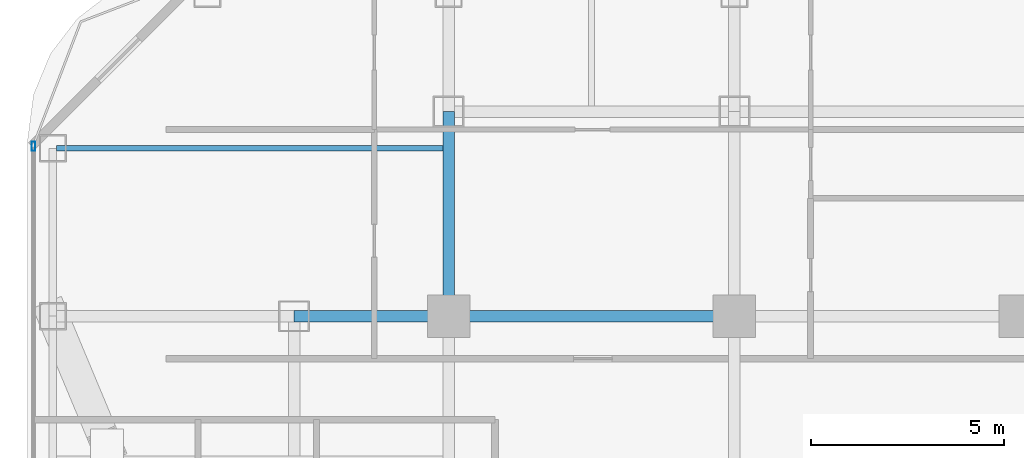
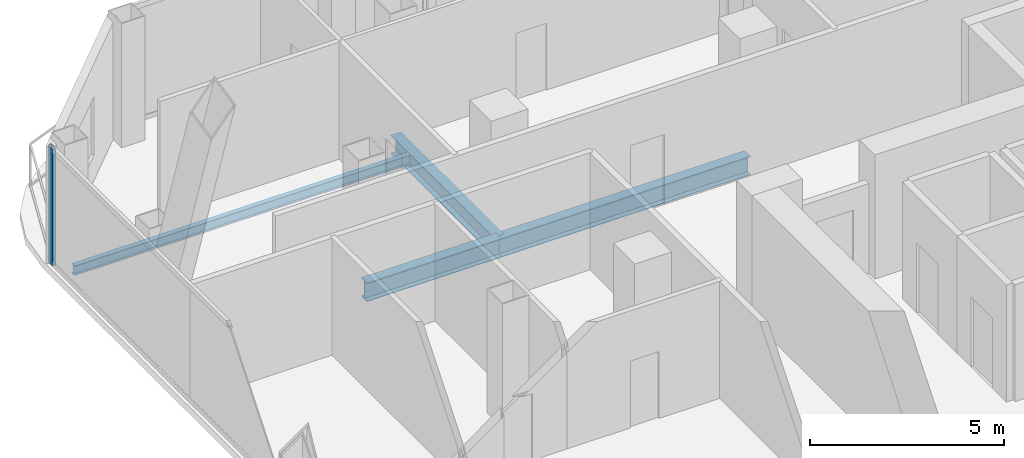
# One storey, part 16 of 34: 4 beams, 1 member, 1 element without a shape of its own.
"""IFC4 building model written with IfcOpenShell, lengths in metres."""

from ifc_helpers import new_model, si_unit, direction, frame, origin, origin_2d, place, context, subcontext, project, spatial, hollow_rectangle, i_section, extrude, material, layer, layer_set, material_profile, profile_set, type_object, element, aggregate, save


model = new_model("IFC4")

# Units and contexts
model_context = context("Model", 3, precision=1e-05, world=origin(), true_north=direction((0.0, 1.0)))
body_context = subcontext(model_context, "Body", "Model", "MODEL_VIEW")
ifc_project = project(units=[si_unit("LENGTHUNIT", "METRE"), si_unit("AREAUNIT", "SQUARE_METRE"), si_unit("VOLUMEUNIT", "CUBIC_METRE"), si_unit("PLANEANGLEUNIT", "RADIAN"), si_unit("MASSUNIT", "GRAM", prefix="KILO")], contexts=[model_context])

# Site, building, storey
site_placement = place(None, origin())
site = spatial("IfcSite", under=ifc_project, at=site_placement, CompositionType="ELEMENT")
building_placement = place(site_placement, origin())
building = spatial("IfcBuilding", under=site, at=building_placement, Name="Khorvyn Point Tower", CompositionType="ELEMENT")
storey_placement = place(building_placement, frame((0.0, 0.0, 175.800048828125)))
storey = spatial("IfcBuildingStorey", under=building, at=storey_placement, Name="L43", CompositionType="ELEMENT", Elevation=175.800048828125)

# Curtain wall, member
ifc_material_1 = material(Name="Anodised aluminium 6063-T6 and laminated Low-E glass", Category="aluminium")
ifc_layer = layer(ifc_material_1, 0.18994140625)
ifc_layer_set = layer_set([ifc_layer], Name="Stick-Built Acoustic Curtain Wall CW-SYS-03")
curtain_wall_type = type_object("IfcCurtainWallType", Name="Stick-Built Acoustic Curtain Wall CW-SYS-03", PredefinedType="NOTDEFINED", material=ifc_layer_set)
curtain_wall_placement = place(storey_placement, origin())
curtain_wall = element("IfcCurtainWall", 1, at=curtain_wall_placement, inside=storey, type_object=curtain_wall_type, Name="Curtain Wall", PredefinedType="NOTDEFINED")
ifc_material_2 = material(Name="Anodised aluminium 6063-T6", Category="aluminium")
ifc_material_profile_1 = material_profile(ifc_material_2, hollow_rectangle(XDim=0.10009765625, YDim=0.239990234375, WallThickness=0.0048828125, at=origin_2d()))
ifc_profile_set_1 = profile_set([ifc_material_profile_1], Name="Anodised aluminium 6063-T6 ALU-MUL-100x240")
member_type = type_object("IfcMemberType", Name="Anodised Aluminium 6063-T6 Mullion ALU-MUL-100x240", PredefinedType="MULLION", material=ifc_profile_set_1)
member_placement = place(storey_placement, frame((-25.550048828125, 19.199951171875, 0.0), z_axis=(0.0, 0.0, 1.0), x_axis=(-1.0, 0.0, 0.0)))
member = element("IfcMember", 2, at=member_placement, type_object=member_type, Name="Transom", PredefinedType="MULLION", context=body_context, shape_type="SweptSolid", body=[
    extrude(hollow_rectangle(XDim=0.10009765625, YDim=0.239990234375, WallThickness=0.0048828125, at=origin_2d()), origin(), (0.0, 0.0, 1.0), 3.679931640625),
])
aggregate(curtain_wall, [member])

# Beams
ifc_material_3 = material(Name="Steel S355", Category="steel")
ifc_material_profile_2 = material_profile(ifc_material_3, i_section(OverallWidth=0.300048828125, OverallDepth=0.587890625, WebThickness=0.011962890625, FlangeThickness=0.02001953125, at=origin_2d()))
ifc_profile_set_2 = profile_set([ifc_material_profile_2], Name="Steel S355 H588x300x12x20")
beam_type_1 = type_object("IfcBeamType", Name="Steel S355 Beam H588x300x12x20", PredefinedType="BEAM", material=ifc_profile_set_2)
beam_1_placement = place(storey_placement, frame((-18.800048828125, 14.800048828125, -0.51416015625), z_axis=(1.0, 0.0, 0.0), x_axis=(0.0, 1.0, 0.0)))
element("IfcBeam", 3, at=beam_1_placement, inside=storey, type_object=beam_type_1, Name="Beam", PredefinedType="BEAM", context=body_context, shape_type="SweptSolid", body=[
    extrude(i_section(OverallWidth=0.300048828125, OverallDepth=0.587890625, WebThickness=0.011962890625, FlangeThickness=0.02001953125, at=origin_2d()), origin(), (0.0, 0.0, 1.0), 4.0),
])
beam_2_placement = place(storey_placement, frame((-14.800048828125, 14.800048828125, -0.51416015625), z_axis=(1.0, 0.0, 0.0), x_axis=(0.0, 1.0, 0.0)))
element("IfcBeam", 4, at=beam_2_placement, inside=storey, type_object=beam_type_1, Name="Beam", PredefinedType="BEAM", context=body_context, shape_type="SweptSolid", body=[
    extrude(i_section(OverallWidth=0.300048828125, OverallDepth=0.587890625, WebThickness=0.011962890625, FlangeThickness=0.02001953125, at=origin_2d()), origin(), (0.0, 0.0, 1.0), 7.400146484375),
])
beam_3_placement = place(storey_placement, frame((-14.800048828125, 14.800048828125, -0.51416015625), z_axis=(0.0, 1.0, 0.0), x_axis=(-1.0, 0.0, 0.0)))
element("IfcBeam", 5, at=beam_3_placement, inside=storey, type_object=beam_type_1, Name="Beam", PredefinedType="BEAM", context=body_context, shape_type="SweptSolid", body=[
    extrude(i_section(OverallWidth=0.300048828125, OverallDepth=0.587890625, WebThickness=0.011962890625, FlangeThickness=0.02001953125, at=origin_2d()), origin(), (0.0, 0.0, 1.0), 5.300048828125),
])
ifc_material_profile_3 = material_profile(ifc_material_3, i_section(OverallWidth=0.14990234375, OverallDepth=0.300048828125, WebThickness=0.006591796875, FlangeThickness=0.009033203125, at=origin_2d()))
ifc_profile_set_3 = profile_set([ifc_material_profile_3], Name="Steel S355 H300x150x6.5x9")
beam_type_2 = type_object("IfcBeamType", Name="Steel S355 Joist H300x150x6.5x9", PredefinedType="JOIST", material=ifc_profile_set_3)
beam_4_placement = place(storey_placement, frame((-24.949951171875, 19.14990234375, -0.3701171875), z_axis=(1.0, 0.0, 0.0), x_axis=(0.0, 1.0, 0.0)))
element("IfcBeam", 6, at=beam_4_placement, inside=storey, type_object=beam_type_2, Name="Beam", PredefinedType="JOIST", context=body_context, shape_type="SweptSolid", body=[
    extrude(i_section(OverallWidth=0.14990234375, OverallDepth=0.300048828125, WebThickness=0.006591796875, FlangeThickness=0.009033203125, at=origin_2d()), origin(), (0.0, 0.0, 1.0), 10.0),
])

save(model, "model.ifc")
